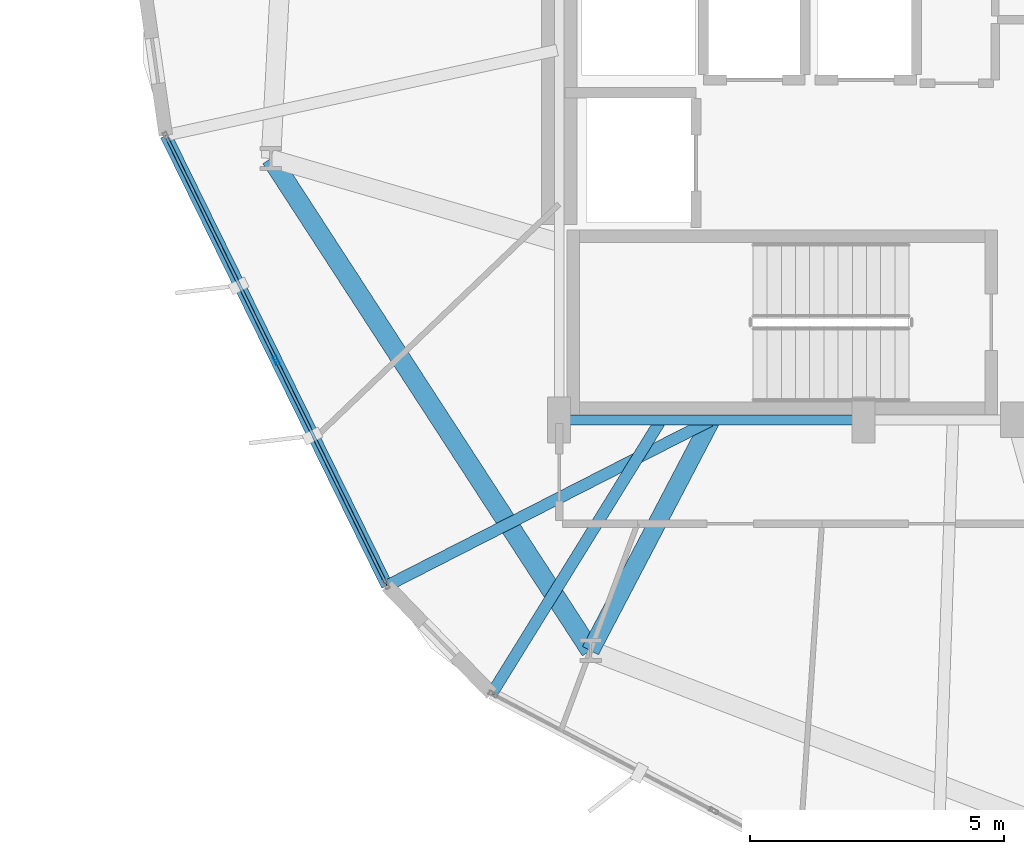
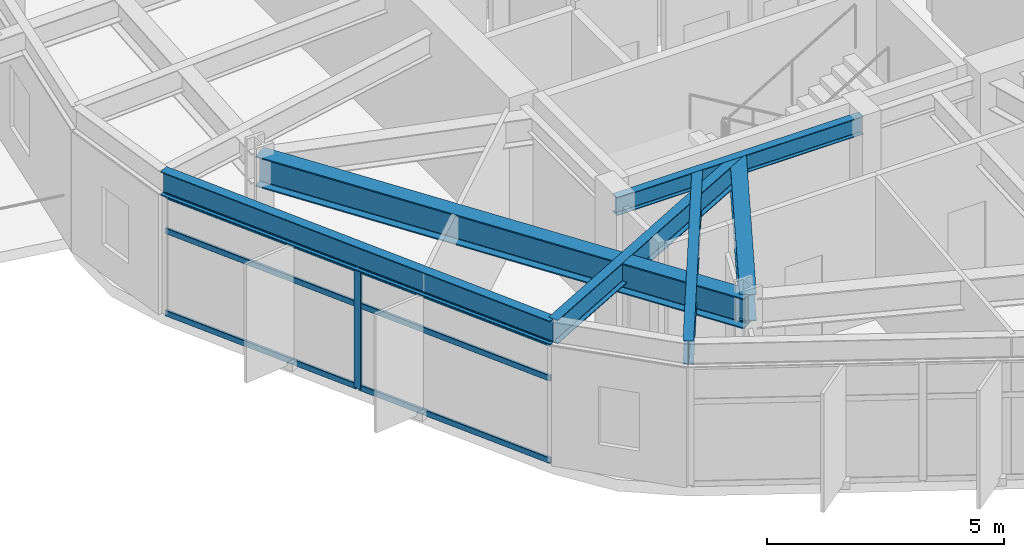
# One storey, part 3 of 22: 7 members, 6 beams, 1 element without a shape of its own.
"""IFC4 building model written with IfcOpenShell, lengths in metres."""

from ifc_helpers import new_model, si_unit, direction, frame, origin, origin_2d, place, context, subcontext, project, spatial, hollow_rectangle, i_section, extrude, material, layer, layer_set, material_profile, profile_set, type_object, element, aggregate, save


model = new_model("IFC4")

# Units and contexts
model_context = context("Model", 3, precision=1e-05, world=origin(), true_north=direction((0.0, 1.0)))
body_context = subcontext(model_context, "Body", "Model", "MODEL_VIEW")
ifc_project = project(units=[si_unit("LENGTHUNIT", "METRE"), si_unit("AREAUNIT", "SQUARE_METRE"), si_unit("VOLUMEUNIT", "CUBIC_METRE"), si_unit("PLANEANGLEUNIT", "RADIAN"), si_unit("MASSUNIT", "GRAM", prefix="KILO")], contexts=[model_context])

# Site, building, storey
site_placement = place(None, origin())
site = spatial("IfcSite", under=ifc_project, at=site_placement, CompositionType="ELEMENT")
building_placement = place(site_placement, origin())
building = spatial("IfcBuilding", under=site, at=building_placement, Name="Soratama Intermodal Tower", CompositionType="ELEMENT")
storey_placement = place(building_placement, frame((0.0, 0.0, 58.60009765625)))
storey = spatial("IfcBuildingStorey", under=building, at=storey_placement, Name="L13", CompositionType="ELEMENT", Elevation=58.60009765625)

# Beams
ifc_material_1 = material(Name="Structural steel ASTM A992 Grade 50", Category="steel")
ifc_material_profile_1 = material_profile(ifc_material_1, i_section(OverallWidth=0.19091796875, OverallDepth=0.4599609375, WebThickness=0.010009765625, FlangeThickness=0.01611328125, FilletRadius=0.010986328125, at=origin_2d()), Name="W18X55")
ifc_profile_set_1 = profile_set([ifc_material_profile_1], Name="Structural steel ASTM A992 Grade 50")
beam_type_1 = type_object("IfcBeamType", Name="BM-FLR-W18X55", PredefinedType="BEAM", material=ifc_profile_set_1)
beam_1_placement = place(storey_placement, frame((32.60009765625, 15.0, 3.469970703125), z_axis=(1.0, 0.0, 0.0), x_axis=(0.0, 1.0, 0.0)))
element("IfcBeam", 1, at=beam_1_placement, inside=storey, type_object=beam_type_1, Name="BM-L13-CRING-01", PredefinedType="BEAM", context=body_context, shape_type="SweptSolid", body=[
    extrude(i_section(OverallWidth=0.19091796875, OverallDepth=0.4599609375, WebThickness=0.010009765625, FlangeThickness=0.01611328125, FilletRadius=0.010986328125, at=origin_2d()), origin(), (0.0, 0.0, 1.0), 6.0),
])
ifc_material_2 = material(Name="Structural steel ASTM A992 Grade 50", Category="steel")
ifc_material_profile_2 = material_profile(ifc_material_2, i_section(OverallWidth=0.35498046875, OverallDepth=0.695068359375, WebThickness=0.015380859375, FlangeThickness=0.02490234375, FilletRadius=0.01611328125, at=origin_2d()), Name="W27X146")
ifc_profile_set_2 = profile_set([ifc_material_profile_2], Name="Structural steel ASTM A992 Grade 50")
beam_type_2 = type_object("IfcBeamType", Name="BM-RING-W27X146", PredefinedType="BEAM", material=ifc_profile_set_2)
beam_2_placement = place(storey_placement, frame((35.60009765625, 15.0, 3.352294921875), z_axis=(-0.463818619792, -0.885930182314, 0.0), x_axis=(0.885930182314, -0.463818619792, 0.0)))
element("IfcBeam", 2, at=beam_2_placement, inside=storey, type_object=beam_type_2, Name="BM-L13-RAD-07", PredefinedType="BEAM", context=body_context, shape_type="SweptSolid", body=[
    extrude(i_section(OverallWidth=0.35498046875, OverallDepth=0.695068359375, WebThickness=0.015380859375, FlangeThickness=0.02490234375, FilletRadius=0.01611328125, at=origin_2d()), origin(), (0.0, 0.0, 1.0), 5.1337890625),
])
ifc_material_3 = material(Name="Structural steel ASTM A992 Grade 50", Category="steel")
ifc_material_profile_3 = material_profile(ifc_material_3, i_section(OverallWidth=0.382080078125, OverallDepth=0.779052734375, WebThickness=0.01806640625, FlangeThickness=0.030029296875, FilletRadius=0.01806640625, at=origin_2d()), Name="W30X191")
ifc_profile_set_3 = profile_set([ifc_material_profile_3], Name="Structural steel ASTM A992 Grade 50")
beam_type_3 = type_object("IfcBeamType", Name="BM-RING-W30X191", PredefinedType="BEAM", material=ifc_profile_set_3)
beam_3_placement = place(storey_placement, frame((26.91796875, 20.155029296875, 3.310302734375), z_axis=(0.544623370352, -0.838680740489, 0.0), x_axis=(0.838680740489, 0.544623370352, 0.0)))
element("IfcBeam", 3, at=beam_3_placement, inside=storey, type_object=beam_type_3, Name="BM-L13-RING-06", PredefinedType="BEAM", context=body_context, shape_type="SweptSolid", body=[
    extrude(i_section(OverallWidth=0.382080078125, OverallDepth=0.779052734375, WebThickness=0.01806640625, FlangeThickness=0.030029296875, FilletRadius=0.01806640625, at=origin_2d()), origin(), (0.0, 0.0, 1.0), 11.569580078125),
])
ifc_material_4 = material(Name="Structural steel ASTM A992 Grade 50", Category="steel")
ifc_material_profile_4 = material_profile(ifc_material_4, i_section(OverallWidth=0.22900390625, OverallDepth=0.612060546875, WebThickness=0.011962890625, FlangeThickness=0.01953125, FilletRadius=0.012939453125, at=origin_2d()), Name="W24X84")
ifc_profile_set_4 = profile_set([ifc_material_profile_4], Name="Structural steel ASTM A992 Grade 50")
beam_type_4 = type_object("IfcBeamType", Name="BM-SPN-W24X84", PredefinedType="SPANDREL", material=ifc_profile_set_4)
beam_4_placement = place(storey_placement, frame((24.844970703125, 20.611083984375, 3.393798828125), z_axis=(0.440895160559, -0.897558609449, 0.0), x_axis=(0.897558609449, 0.440895160559, 0.0)))
element("IfcBeam", 4, at=beam_4_placement, inside=storey, type_object=beam_type_4, Name="BS-L13-F06", PredefinedType="SPANDREL", context=body_context, shape_type="SweptSolid", body=[
    extrude(i_section(OverallWidth=0.22900390625, OverallDepth=0.612060546875, WebThickness=0.011962890625, FlangeThickness=0.01953125, FilletRadius=0.012939453125, at=origin_2d()), origin(), (0.0, 0.0, 1.0), 9.8935546875),
])
ifc_material_5 = material(Name="Structural steel ASTM A992 Grade 50", Category="steel")
ifc_material_profile_5 = material_profile(ifc_material_5, i_section(OverallWidth=0.22900390625, OverallDepth=0.612060546875, WebThickness=0.011962890625, FlangeThickness=0.01953125, FilletRadius=0.012939453125, at=origin_2d()), Name="W24X84")
ifc_profile_set_5 = profile_set([ifc_material_profile_5], Name="Structural steel ASTM A992 Grade 50")
beam_type_5 = type_object("IfcBeamType", Name="BM-TIE-W24X84", PredefinedType="BEAM", material=ifc_profile_set_5)
beam_5_placement = place(storey_placement, frame((35.576904296875, 14.98193359375, 3.393798828125), z_axis=(-0.890702915512, -0.454585873403, 0.0), x_axis=(0.454585873403, -0.890702915512, 0.0)))
element("IfcBeam", 5, at=beam_5_placement, inside=storey, type_object=beam_type_5, Name="BM-L13-TIE1-06", PredefinedType="BEAM", context=body_context, shape_type="SweptSolid", body=[
    extrude(i_section(OverallWidth=0.22900390625, OverallDepth=0.612060546875, WebThickness=0.011962890625, FlangeThickness=0.01953125, FilletRadius=0.012939453125, at=origin_2d()), origin(), (0.0, 0.0, 1.0), 7.151611328125),
])
beam_6_placement = place(storey_placement, frame((34.587890625, 14.966064453125, 3.393798828125), z_axis=(-0.525777270682, -0.85062227906, 0.0), x_axis=(0.85062227906, -0.525777270682, 0.0)))
element("IfcBeam", 6, at=beam_6_placement, inside=storey, type_object=beam_type_5, Name="BM-L13-TIE0-07", PredefinedType="BEAM", context=body_context, shape_type="SweptSolid", body=[
    extrude(i_section(OverallWidth=0.22900390625, OverallDepth=0.612060546875, WebThickness=0.011962890625, FlangeThickness=0.01953125, FilletRadius=0.012939453125, at=origin_2d()), origin(), (0.0, 0.0, 1.0), 6.304931640625),
])

# Curtain wall, members
ifc_material_6 = material(Name="Double-glazed aluminium curtain wall", Category="aluminium")
ifc_layer = layer(ifc_material_6, 0.159912109375)
ifc_layer_set = layer_set([ifc_layer], Name="Double-glazed aluminium curtain wall")
curtain_wall_type = type_object("IfcCurtainWallType", Name="CW-SYS-2", PredefinedType="NOTDEFINED", material=ifc_layer_set)
curtain_wall_placement = place(storey_placement, origin())
curtain_wall = element("IfcCurtainWall", 7, at=curtain_wall_placement, inside=storey, type_object=curtain_wall_type, Name="L13 Faceted Curtain Wall F06", PredefinedType="NOTDEFINED")
ifc_material_7 = material(Name="Anodised aluminium AA 6063-T6", Category="aluminium")
ifc_material_profile_6 = material_profile(ifc_material_7, hollow_rectangle(XDim=0.074951171875, YDim=0.179931640625, WallThickness=0.006103515625, InnerFilletRadius=0.006103515625, OuterFilletRadius=0.011962890625, at=origin_2d()), Name="CWM180X75X6")
ifc_profile_set_6 = profile_set([ifc_material_profile_6], Name="Anodised aluminium AA 6063-T6")
member_type_1 = type_object("IfcMemberType", Name="MT-CWM-2", PredefinedType="MULLION", material=ifc_profile_set_6)
member_1_placement = place(storey_placement, frame((27.025634765625, 16.171142578125, 0.0), z_axis=(0.0, 0.0, 1.0), x_axis=(0.897568289772, 0.440875453156, 0.0)))
member_1 = element("IfcMember", 8, at=member_1_placement, type_object=member_type_1, Name="CW-2 mullion 2", PredefinedType="MULLION", context=body_context, shape_type="SweptSolid", body=[
    extrude(hollow_rectangle(XDim=0.074951171875, YDim=0.179931640625, WallThickness=0.006103515625, InnerFilletRadius=0.006103515625, OuterFilletRadius=0.011962890625, at=origin_2d()), origin(), (0.0, 0.0, 1.0), 3.078857421875),
])
ifc_material_8 = material(Name="Anodised aluminium AA 6063-T6", Category="aluminium")
ifc_material_profile_7 = material_profile(ifc_material_8, hollow_rectangle(XDim=0.06494140625, YDim=0.14990234375, WallThickness=0.0048828125, InnerFilletRadius=0.0048828125, OuterFilletRadius=0.010009765625, at=origin_2d()), Name="CWT150X65X5")
ifc_profile_set_7 = profile_set([ifc_material_profile_7], Name="Anodised aluminium AA 6063-T6")
member_type_2 = type_object("IfcMemberType", Name="TT-CWT-1", PredefinedType="USERDEFINED", material=ifc_profile_set_7)
member_2_placement = place(storey_placement, frame((24.87109375, 20.5576171875, 0.02978515625), z_axis=(0.440869069385, -0.89757142538, 0.0), x_axis=(0.89757142538, 0.440869069385, 0.0)))
member_2 = element("IfcMember", 9, at=member_2_placement, type_object=member_type_2, Name="CW-2 transom 1.1", ObjectType="TRANSOM", PredefinedType="USERDEFINED", context=body_context, shape_type="SweptSolid", body=[
    extrude(hollow_rectangle(XDim=0.06494140625, YDim=0.14990234375, WallThickness=0.0048828125, InnerFilletRadius=0.0048828125, OuterFilletRadius=0.010009765625, at=origin_2d()), origin(), (0.0, 0.0, 1.0), 4.857177734375),
])
member_3_placement = place(storey_placement, frame((24.87109375, 20.5576171875, 2.14990234375), z_axis=(0.440869069385, -0.89757142538, 0.0), x_axis=(0.89757142538, 0.440869069385, 0.0)))
member_3 = element("IfcMember", 10, at=member_3_placement, type_object=member_type_2, Name="CW-2 transom 1.2", ObjectType="TRANSOM", PredefinedType="USERDEFINED", context=body_context, shape_type="SweptSolid", body=[
    extrude(hollow_rectangle(XDim=0.06494140625, YDim=0.14990234375, WallThickness=0.0048828125, InnerFilletRadius=0.0048828125, OuterFilletRadius=0.010009765625, at=origin_2d()), origin(), (0.0, 0.0, 1.0), 4.857177734375),
])
member_4_placement = place(storey_placement, frame((24.87109375, 20.5576171875, 3.048828125), z_axis=(0.440869069385, -0.89757142538, 0.0), x_axis=(0.89757142538, 0.440869069385, 0.0)))
member_4 = element("IfcMember", 11, at=member_4_placement, type_object=member_type_2, Name="CW-2 transom 1.3", ObjectType="TRANSOM", PredefinedType="USERDEFINED", context=body_context, shape_type="SweptSolid", body=[
    extrude(hollow_rectangle(XDim=0.06494140625, YDim=0.14990234375, WallThickness=0.0048828125, InnerFilletRadius=0.0048828125, OuterFilletRadius=0.010009765625, at=origin_2d()), origin(), (0.0, 0.0, 1.0), 4.857177734375),
])
member_5_placement = place(storey_placement, frame((27.0390625, 16.144287109375, 0.02978515625), z_axis=(0.440869069385, -0.89757142538, 0.0), x_axis=(0.89757142538, 0.440869069385, 0.0)))
member_5 = element("IfcMember", 12, at=member_5_placement, type_object=member_type_2, Name="CW-2 transom 2.1", ObjectType="TRANSOM", PredefinedType="USERDEFINED", context=body_context, shape_type="SweptSolid", body=[
    extrude(hollow_rectangle(XDim=0.06494140625, YDim=0.14990234375, WallThickness=0.0048828125, InnerFilletRadius=0.0048828125, OuterFilletRadius=0.010009765625, at=origin_2d()), origin(), (0.0, 0.0, 1.0), 4.857177734375),
])
member_6_placement = place(storey_placement, frame((27.0390625, 16.144287109375, 2.14990234375), z_axis=(0.440869069385, -0.89757142538, 0.0), x_axis=(0.89757142538, 0.440869069385, 0.0)))
member_6 = element("IfcMember", 13, at=member_6_placement, type_object=member_type_2, Name="CW-2 transom 2.2", ObjectType="TRANSOM", PredefinedType="USERDEFINED", context=body_context, shape_type="SweptSolid", body=[
    extrude(hollow_rectangle(XDim=0.06494140625, YDim=0.14990234375, WallThickness=0.0048828125, InnerFilletRadius=0.0048828125, OuterFilletRadius=0.010009765625, at=origin_2d()), origin(), (0.0, 0.0, 1.0), 4.857177734375),
])
member_7_placement = place(storey_placement, frame((27.0390625, 16.144287109375, 3.048828125), z_axis=(0.440869069385, -0.89757142538, 0.0), x_axis=(0.89757142538, 0.440869069385, 0.0)))
member_7 = element("IfcMember", 14, at=member_7_placement, type_object=member_type_2, Name="CW-2 transom 2.3", ObjectType="TRANSOM", PredefinedType="USERDEFINED", context=body_context, shape_type="SweptSolid", body=[
    extrude(hollow_rectangle(XDim=0.06494140625, YDim=0.14990234375, WallThickness=0.0048828125, InnerFilletRadius=0.0048828125, OuterFilletRadius=0.010009765625, at=origin_2d()), origin(), (0.0, 0.0, 1.0), 4.857177734375),
])
aggregate(curtain_wall, [member_1, member_2, member_3, member_4, member_5, member_6, member_7])

save(model, "model.ifc")
